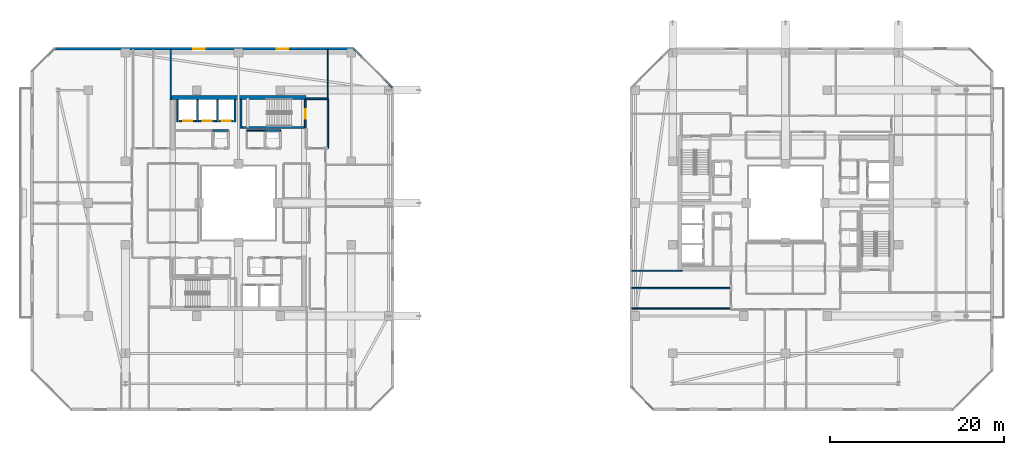
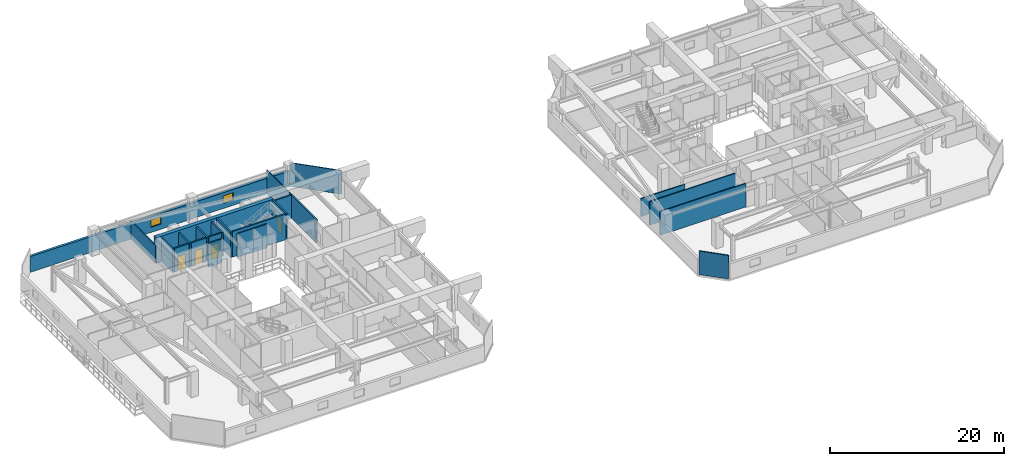
# One storey, part 23 of 34: 24 walls, 4 doors, 2 windows, 6 openings.
"""IFC4 building model written with IfcOpenShell, lengths in metres."""

from ifc_helpers import new_model, si_unit, direction, frame, frame_2d, origin, place, context, subcontext, project, spatial, rectangle, extrude, material, layer, layer_set, type_object, element, fill, save


model = new_model("IFC4")

# Units and contexts
model_context = context("Model", 3, precision=1e-05, world=origin(), true_north=direction((0.0, 1.0)))
body_context = subcontext(model_context, "Body", "Model", "MODEL_VIEW")
ifc_project = project(units=[si_unit("LENGTHUNIT", "METRE"), si_unit("AREAUNIT", "SQUARE_METRE"), si_unit("VOLUMEUNIT", "CUBIC_METRE"), si_unit("PLANEANGLEUNIT", "RADIAN"), si_unit("MASSUNIT", "GRAM", prefix="KILO")], contexts=[model_context])

# Site, building, storey
site_placement = place(None, origin())
site = spatial("IfcSite", under=ifc_project, at=site_placement, CompositionType="ELEMENT")
building_placement = place(site_placement, origin())
building = spatial("IfcBuilding", under=site, at=building_placement, Name="Thornwick Lancets Civic Towers", CompositionType="ELEMENT")
storey_placement = place(building_placement, frame((0.0, 0.0, 251.10009765625)))
storey = spatial("IfcBuildingStorey", under=building, at=storey_placement, Name="L67", CompositionType="ELEMENT", Elevation=251.10009765625)

# Wall, opening, door
ifc_material_1 = material(Name="Concrete blockwork C40/50", Category="masonry")
ifc_layer_1 = layer(ifc_material_1, 0.199951171875, Name="Concrete blockwork C40/50")
ifc_layer_set_1 = layer_set([ifc_layer_1], Name="Concrete blockwork C40/50")
wall_type_1 = type_object("IfcWallType", Name="WALL_COMP_200", PredefinedType="STANDARD", material=ifc_layer_set_1)
wall_1_placement = place(storey_placement, frame((24.919921875, 36.449951171875, 0.0), z_axis=(0.0, 0.0, 1.0), x_axis=(-1.0, 0.0, 0.0)))
wall_1 = element("IfcWall", 1, at=wall_1_placement, inside=storey, type_object=wall_type_1, Name="L67 Hoistway Front Wall FL-A2", PredefinedType="STANDARD", context=body_context, shape_type="SweptSolid", body=[
    extrude(rectangle(XDim=1.639892578125, YDim=0.199951171875, at=frame_2d((0.81982421875, 0.0))), origin(), (0.0, 0.0, 1.0), 3.31982421875),
])
opening_1_placement = place(wall_1_placement, frame((0.31005859375, 0.0, 0.0)))
opening_1 = element("IfcOpeningElement", 2, at=opening_1_placement, cuts=wall_1, Name="Opening LD-FL-A2", PredefinedType="OPENING", context=body_context, shape_type="SweptSolid", body=[
    extrude(rectangle(XDim=1.02001953125, YDim=2.06005859375, at=frame_2d((0.510009765625, 1.030029296875))), frame((0.0, 0.10986328125, 0.0), z_axis=(0.0, -1.0, 0.0), x_axis=(1.0, 0.0, 0.0)), (0.0, 0.0, 1.0), 0.219970703125),
])
ifc_material_2 = material(Name="Brushed bronze stainless steel", Category="steel")
door_type_1 = type_object("IfcDoorType", Name="DOOR_LIFT_SLIDE", OperationType="SLIDING_TO_LEFT", PredefinedType="DOOR", material=ifc_material_2)
door_1_placement = place(opening_1_placement, origin())
door_1 = element("IfcDoor", 3, at=door_1_placement, inside=storey, type_object=door_type_1, Name="L67 Sliding Lift Landing Door LD-FL-A2", OperationType="SLIDING_TO_LEFT", OverallHeight=2.06005859375, OverallWidth=1.02001953125, PredefinedType="DOOR", context=body_context, shape_type="SweptSolid", body=[
    extrude(rectangle(XDim=1.02001953125, YDim=2.06005859375, at=frame_2d((0.510009765625, 1.030029296875))), frame((0.0, 0.02490234375, 0.0), z_axis=(0.0, -1.0, 0.0), x_axis=(1.0, 0.0, 0.0)), (0.0, 0.0, 1.0), 0.050048828125),
])
fill(opening_1, door_1)

wall_2_placement = place(storey_placement, frame((22.919921875, 36.449951171875, 0.0), z_axis=(0.0, 0.0, 1.0), x_axis=(-1.0, 0.0, 0.0)))
wall_2 = element("IfcWall", 4, at=wall_2_placement, inside=storey, type_object=wall_type_1, Name="L67 Hoistway Front Wall PL-AH2", PredefinedType="STANDARD", context=body_context, shape_type="SweptSolid", body=[
    extrude(rectangle(XDim=1.989990234375, YDim=0.199951171875, at=frame_2d((0.9951171875, 0.0))), origin(), (0.0, 0.0, 1.0), 3.31982421875),
])
opening_2_placement = place(wall_2_placement, frame((0.485107421875, 0.0, 0.0)))
opening_2 = element("IfcOpeningElement", 5, at=opening_2_placement, cuts=wall_2, Name="Opening LD-PL-AH2", PredefinedType="OPENING", context=body_context, shape_type="SweptSolid", body=[
    extrude(rectangle(XDim=1.02001953125, YDim=2.06005859375, at=frame_2d((0.510009765625, 1.030029296875))), frame((0.0, 0.10986328125, 0.0), z_axis=(0.0, -1.0, 0.0), x_axis=(1.0, 0.0, 0.0)), (0.0, 0.0, 1.0), 0.219970703125),
])
door_2_placement = place(opening_2_placement, origin())
door_2 = element("IfcDoor", 6, at=door_2_placement, inside=storey, type_object=door_type_1, Name="L67 Sliding Lift Landing Door LD-PL-AH2", OperationType="SLIDING_TO_LEFT", OverallHeight=2.06005859375, OverallWidth=1.02001953125, PredefinedType="DOOR", context=body_context, shape_type="SweptSolid", body=[
    extrude(rectangle(XDim=1.02001953125, YDim=2.06005859375, at=frame_2d((0.510009765625, 1.030029296875))), frame((0.0, 0.02490234375, 0.0), z_axis=(0.0, -1.0, 0.0), x_axis=(1.0, 0.0, 0.0)), (0.0, 0.0, 1.0), 0.050048828125),
])
fill(opening_2, door_2)

wall_3_placement = place(storey_placement, frame((20.6201171875, 36.449951171875, 0.0), z_axis=(0.0, 0.0, 1.0), x_axis=(-1.0, 0.0, 0.0)))
wall_3 = element("IfcWall", 7, at=wall_3_placement, inside=storey, type_object=wall_type_1, Name="L67 Hoistway Front Wall PL-AH3", PredefinedType="STANDARD", context=body_context, shape_type="SweptSolid", body=[
    extrude(rectangle(XDim=1.940185546875, YDim=0.199951171875, at=frame_2d((0.97021484375, 0.0))), origin(), (0.0, 0.0, 1.0), 3.31982421875),
])
opening_3_placement = place(wall_3_placement, frame((0.4599609375, 0.0, 0.0)))
opening_3 = element("IfcOpeningElement", 8, at=opening_3_placement, cuts=wall_3, Name="Opening LD-PL-AH3", PredefinedType="OPENING", context=body_context, shape_type="SweptSolid", body=[
    extrude(rectangle(XDim=1.02001953125, YDim=2.06005859375, at=frame_2d((0.510009765625, 1.030029296875))), frame((0.0, 0.10986328125, 0.0), z_axis=(0.0, -1.0, 0.0), x_axis=(1.0, 0.0, 0.0)), (0.0, 0.0, 1.0), 0.219970703125),
])
door_3_placement = place(opening_3_placement, origin())
door_3 = element("IfcDoor", 9, at=door_3_placement, inside=storey, type_object=door_type_1, Name="L67 Sliding Lift Landing Door LD-PL-AH3", OperationType="SLIDING_TO_LEFT", OverallHeight=2.06005859375, OverallWidth=1.02001953125, PredefinedType="DOOR", context=body_context, shape_type="SweptSolid", body=[
    extrude(rectangle(XDim=1.02001953125, YDim=2.06005859375, at=frame_2d((0.510009765625, 1.030029296875))), frame((0.0, 0.02490234375, 0.0), z_axis=(0.0, -1.0, 0.0), x_axis=(1.0, 0.0, 0.0)), (0.0, 0.0, 1.0), 0.050048828125),
])
fill(opening_3, door_3)

# Walls
for number, where, z_axis, x_axis, name in (
    (10, (25.10009765625, 36.35205078125, 0.0), (0.0, 0.0, 1.0), (0.0, 1.0, 0.0), "L67 Hoistway Shaft Wall FL-A2 E"),
    (11, (23.10009765625, 36.35205078125, 0.0), (0.0, 0.0, 1.0), (0.0, 1.0, 0.0), "L67 Hoistway Shaft Wall FL-A2 W"),
    (12, (20.77490234375, 36.35205078125, 0.0), (0.0, 0.0, 1.0), (0.0, 1.0, 0.0), "L67 Hoistway Shaft Wall PL-AH2 W"),
    (13, (18.5, 36.35205078125, 0.0), (0.0, 0.0, 1.0), (0.0, 1.0, 0.0), "L67 Hoistway Shaft Wall PL-AH3 W"),
):
    element("IfcWall", number, at=place(storey_placement, frame(where, z_axis=z_axis, x_axis=x_axis)), inside=storey, type_object=wall_type_1, Name=name, PredefinedType="STANDARD", context=body_context, shape_type="SweptSolid", body=[
        extrude(rectangle(XDim=2.535888671875, YDim=0.199951171875, at=frame_2d((1.26806640625, 0.0))), origin(), (0.0, 0.0, 1.0), 3.31982421875),
    ])
wall_4_placement = place(storey_placement, frame((35.800048828125, 33.300048828125, 0.0), z_axis=(0.0, 0.0, 1.0), x_axis=(0.0, 1.0, 0.0)))
element("IfcWall", 14, at=wall_4_placement, inside=storey, type_object=wall_type_1, Name="L67 Partition L67-A-FFLOB2 E2", PredefinedType="STANDARD", context=body_context, shape_type="SweptSolid", body=[
    extrude(rectangle(XDim=5.699951171875, YDim=0.199951171875, at=frame_2d((2.85009765625, 0.0))), origin(), (0.0, 0.0, 1.0), 3.31982421875),
])
wall_5_placement = place(storey_placement, frame((35.800048828125, 39.0, 0.0), z_axis=(0.0, 0.0, 1.0), x_axis=(-1.0, 0.0, 0.0)))
element("IfcWall", 15, at=wall_5_placement, inside=storey, type_object=wall_type_1, Name="L67 Partition L67-A-FFLOB2 E3", PredefinedType="STANDARD", context=body_context, shape_type="SweptSolid", body=[
    extrude(rectangle(XDim=2.5, YDim=0.199951171875, at=frame_2d((1.25, 0.0))), origin(), (0.0, 0.0, 1.0), 3.31982421875),
])
for number, where, z_axis, x_axis, name in (
    (16, (24.35009765625, 35.35009765625, 0.0), (0.0, 0.0, 1.0), (-1.0, 0.0, 0.0), "L67 Partition L67-A-DUCT2 E3"),
    (17, (30.35009765625, 35.35009765625, 0.0), (0.0, 0.0, 1.0), (-1.0, 0.0, 0.0), "L67 Partition L67-A-RISER2 E3"),
):
    element("IfcWall", number, at=place(storey_placement, frame(where, z_axis=z_axis, x_axis=x_axis)), inside=storey, type_object=wall_type_1, Name=name, PredefinedType="STANDARD", context=body_context, shape_type="SweptSolid", body=[
        extrude(rectangle(XDim=1.800048828125, YDim=0.199951171875, at=frame_2d((0.89990234375, 0.0))), origin(), (0.0, 0.0, 1.0), 3.31982421875),
    ])
ifc_material_3 = material(Name="Concrete C50/60", Category="concrete")
ifc_layer_2 = layer(ifc_material_3, 0.5, Name="Concrete C50/60")
ifc_layer_set_2 = layer_set([ifc_layer_2], Name="Concrete C50/60")
wall_type_2 = type_object("IfcWallType", Name="WALL_CORE_500", PredefinedType="SHEAR", material=ifc_layer_set_2)
wall_6_placement = place(storey_placement, frame((17.699951171875, 39.14990234375, 0.0), z_axis=(0.0, 0.0, 1.0), x_axis=(1.0, 0.0, 0.0)))
element("IfcWall", 18, at=wall_6_placement, inside=storey, type_object=wall_type_2, Name="L67 Split Core A2 Shear Wall N", PredefinedType="SHEAR", context=body_context, shape_type="SweptSolid", body=[
    extrude(rectangle(XDim=15.60009765625, YDim=0.5, at=frame_2d((7.800048828125, 0.0))), origin(), (0.0, 0.0, 1.0), 3.599853515625),
])

# Wall, openings, windows
ifc_material_4 = material(Name="Insulated buff terracotta rainscreen on concrete C40/50", Category="masonry")
ifc_layer_3 = layer(ifc_material_4, 0.320068359375, Name="Insulated buff terracotta rainscreen on concrete C40/50")
ifc_layer_set_3 = layer_set([ifc_layer_3], Name="Insulated buff terracotta rainscreen on concrete C40/50")
wall_type_3 = type_object("IfcWallType", Name="WALL_EXT_TERRA_320", PredefinedType="STANDARD", material=ifc_layer_set_3)
wall_7_placement = place(storey_placement, frame((38.7509765625, 44.75830078125, 0.0), z_axis=(0.0, 0.0, 1.0), x_axis=(-0.999999983007, 0.000184351399, 0.0)))
wall_7 = element("IfcWall", 19, at=wall_7_placement, inside=storey, type_object=wall_type_3, Name="L67 Tower A Terracotta Facade Wall E4", PredefinedType="STANDARD", context=body_context, shape_type="SweptSolid", body=[
    extrude(rectangle(XDim=34.432373046875, YDim=0.320068359375, at=frame_2d((17.21630859375, 0.0))), origin(), (0.0, 0.0, 1.0), 2.219970703125),
])
opening_4_placement = place(wall_7_placement, frame((7.5, 0.0, 0.719970703125)))
opening_4 = element("IfcOpeningElement", 20, at=opening_4_placement, cuts=wall_7, Name="Opening WL-03", PredefinedType="OPENING", context=body_context, shape_type="SweptSolid", body=[
    extrude(rectangle(XDim=1.35009765625, YDim=1.050048828125, at=frame_2d((0.675048828125, 0.52490234375))), frame((0.0, 0.169921875, 0.0), z_axis=(0.0, -1.0, 0.0), x_axis=(1.0, 0.0, 0.0)), (0.0, 0.0, 1.0), 0.340087890625),
])
opening_5_placement = place(wall_7_placement, frame((17.10009765625, 0.0, 0.719970703125)))
opening_5 = element("IfcOpeningElement", 21, at=opening_5_placement, cuts=wall_7, Name="Opening WL-03", PredefinedType="OPENING", context=body_context, shape_type="SweptSolid", body=[
    extrude(rectangle(XDim=1.35009765625, YDim=1.050048828125, at=frame_2d((0.675048828125, 0.52490234375))), frame((0.0, 0.169921875, 0.0), z_axis=(0.0, -1.0, 0.0), x_axis=(1.0, 0.0, 0.0)), (0.0, 0.0, 1.0), 0.340087890625),
])
ifc_material_5 = material(Name="Clear low-e double glazing clerestory lancet", Category="glass")
window_type = type_object("IfcWindowType", Name="WIN_LANCET_1350", PartitioningType="SINGLE_PANEL", PredefinedType="WINDOW", material=ifc_material_5)
window_1_placement = place(opening_4_placement, origin())
window_1 = element("IfcWindow", 22, at=window_1_placement, inside=storey, type_object=window_type, Name="L67 Tower A Staggered Lancet Window E4-1", OverallHeight=1.050048828125, OverallWidth=1.35009765625, PartitioningType="SINGLE_PANEL", PredefinedType="WINDOW", context=body_context, shape_type="SweptSolid", body=[
    extrude(rectangle(XDim=1.35009765625, YDim=1.050048828125, at=frame_2d((0.675048828125, 0.52490234375))), frame((0.0, 0.030029296875, 0.0), z_axis=(0.0, -1.0, 0.0), x_axis=(1.0, 0.0, 0.0)), (0.0, 0.0, 1.0), 0.06005859375),
])
fill(opening_4, window_1)
window_2_placement = place(opening_5_placement, origin())
window_2 = element("IfcWindow", 23, at=window_2_placement, inside=storey, type_object=window_type, Name="L67 Tower A Staggered Lancet Window E4-2", OverallHeight=1.050048828125, OverallWidth=1.35009765625, PartitioningType="SINGLE_PANEL", PredefinedType="WINDOW", context=body_context, shape_type="SweptSolid", body=[
    extrude(rectangle(XDim=1.35009765625, YDim=1.050048828125, at=frame_2d((0.675048828125, 0.52490234375))), frame((0.0, 0.030029296875, 0.0), z_axis=(0.0, -1.0, 0.0), x_axis=(1.0, 0.0, 0.0)), (0.0, 0.0, 1.0), 0.06005859375),
])
fill(opening_5, window_2)

# Walls
ifc_material_6 = material(Name="Acoustic gypsum board partition")
ifc_layer_4 = layer(ifc_material_6, 0.1201171875, Name="Acoustic gypsum board partition")
ifc_layer_set_4 = layer_set([ifc_layer_4], Name="Acoustic gypsum board partition")
wall_type_4 = type_object("IfcWallType", Name="WALL_PART_120", PredefinedType="PARTITIONING", material=ifc_layer_set_4)
wall_8_placement = place(storey_placement, frame((26.449951171875, 35.35009765625, 0.0), z_axis=(0.0, 0.0, 1.0), x_axis=(1.0, 0.0, 0.0)))
element("IfcWall", 24, at=wall_8_placement, inside=storey, type_object=wall_type_4, Name="L67 Partition L67-A-ITR E2", PredefinedType="PARTITIONING", context=body_context, shape_type="SweptSolid", body=[
    extrude(rectangle(XDim=2.10009765625, YDim=0.1201171875, at=frame_2d((1.050048828125, 0.0))), origin(), (0.0, 0.0, 1.0), 3.31982421875),
])
wall_9_placement = place(storey_placement, frame((35.800048828125, 39.0, 0.0), z_axis=(0.0, 0.0, 1.0), x_axis=(0.0, 1.0, 0.0)))
element("IfcWall", 25, at=wall_9_placement, inside=storey, type_object=wall_type_4, Name="L67 Partition L67-A-E4 E3", PredefinedType="PARTITIONING", context=body_context, shape_type="SweptSolid", body=[
    extrude(rectangle(XDim=5.719970703125, YDim=0.1201171875, at=frame_2d((2.85986328125, 0.0))), origin(), (0.0, 0.0, 1.0), 3.31982421875),
])
wall_10_placement = place(storey_placement, frame((38.787353515625, 44.719970703125, 0.0), z_axis=(0.0, 0.0, 1.0), x_axis=(0.707106781187, -0.707106781187, 0.0)))
element("IfcWall", 26, at=wall_10_placement, inside=storey, type_object=wall_type_4, Name="L67 Partition L67-A-E4 E5", PredefinedType="PARTITIONING", context=body_context, shape_type="SweptSolid", body=[
    extrude(rectangle(XDim=6.2685546875, YDim=0.1201171875, at=frame_2d((3.13427734375, 0.0))), origin(), (0.0, 0.0, 1.0), 3.31982421875),
])
ifc_material_7 = material(Name="Twin-stud acoustic gypsum board")
ifc_layer_5 = layer(ifc_material_7, 0.14990234375, Name="Twin-stud acoustic gypsum board")
ifc_layer_set_5 = layer_set([ifc_layer_5], Name="Twin-stud acoustic gypsum board")
wall_type_5 = type_object("IfcWallType", Name="WALL_PART_150", PredefinedType="PARTITIONING", material=ifc_layer_set_5)
wall_11_placement = place(storey_placement, frame((17.699951171875, 44.719970703125, 0.0), z_axis=(0.0, 0.0, 1.0), x_axis=(0.0, -1.0, 0.0)))
element("IfcWall", 27, at=wall_11_placement, inside=storey, type_object=wall_type_5, Name="L67 Partition L67-A-RECLAIM-M2 E3", PredefinedType="PARTITIONING", context=body_context, shape_type="SweptSolid", body=[
    extrude(rectangle(XDim=5.820068359375, YDim=0.14990234375, at=frame_2d((2.91015625, 0.0))), origin(), (0.0, 0.0, 1.0), 2.52490234375),
])
for number, where, z_axis, x_axis, name in (
    (28, (82.199951171875, 14.85009765625, 0.0), (0.0, 0.0, 1.0), (-1.0, 0.0, 0.0), "L67 Partition L67-B-RECLAIM-M1 E1"),
    (29, (70.780029296875, 17.199951171875, 0.0), (0.0, 0.0, 1.0), (1.0, 0.0, 0.0), "L67 Partition L67-B-RECLAIM-M1 E3"),
):
    element("IfcWall", number, at=place(storey_placement, frame(where, z_axis=z_axis, x_axis=x_axis)), inside=storey, type_object=wall_type_5, Name=name, PredefinedType="PARTITIONING", context=body_context, shape_type="SweptSolid", body=[
        extrude(rectangle(XDim=11.419921875, YDim=0.14990234375, at=frame_2d((5.7099609375, 0.0))), origin(), (0.0, 0.0, 1.0), 3.31982421875),
    ])
wall_12_placement = place(storey_placement, frame((70.780029296875, 19.199951171875, 0.0), z_axis=(0.0, 0.0, 1.0), x_axis=(1.0, 0.0, 0.0)))
element("IfcWall", 30, at=wall_12_placement, inside=storey, type_object=wall_type_5, Name="L67 Partition L67-B-RECLAIM-M2 E3", PredefinedType="PARTITIONING", context=body_context, shape_type="SweptSolid", body=[
    extrude(rectangle(XDim=5.820068359375, YDim=0.14990234375, at=frame_2d((2.91015625, 0.0))), origin(), (0.0, 0.0, 1.0), 2.52490234375),
])
wall_13_placement = place(storey_placement, frame((73.274658203125, 3.280029296875, 0.0), z_axis=(0.0, 0.0, 1.0), x_axis=(-0.707106781187, 0.707106781187, 0.0)))
element("IfcWall", 31, at=wall_13_placement, inside=storey, type_object=wall_type_5, Name="L67 Partition L67-B-W2C E2", PredefinedType="PARTITIONING", context=body_context, shape_type="SweptSolid", body=[
    extrude(rectangle(XDim=3.52783203125, YDim=0.14990234375, at=frame_2d((1.763916015625, 0.0))), origin(), (0.0, 0.0, 1.0), 3.31982421875),
])

# Wall, opening, door
ifc_material_8 = material(Name="Concrete C40/50", Category="concrete")
ifc_layer_6 = layer(ifc_material_8, 0.199951171875, Name="Concrete C40/50")
ifc_layer_set_6 = layer_set([ifc_layer_6], Name="Concrete C40/50")
wall_type_6 = type_object("IfcWallType", Name="WALL_SHAFT_200", PredefinedType="SHEAR", material=ifc_layer_set_6)
wall_14_placement = place(storey_placement, frame((33.199951171875, 38.949951171875, 0.0), z_axis=(0.0, 0.0, 1.0), x_axis=(0.0, -1.0, 0.0)))
wall_14 = element("IfcWall", 32, at=wall_14_placement, inside=storey, type_object=wall_type_6, Name="L67 ST-A2 Fire Stair Core Wall NEAR", PredefinedType="SHEAR", context=body_context, shape_type="SweptSolid", body=[
    extrude(rectangle(XDim=3.349853515625, YDim=0.199951171875, at=frame_2d((1.6748046875, 0.0))), origin(), (0.0, 0.0, 1.0), 3.599853515625),
])
opening_6_placement = place(wall_14_placement, frame((1.125, 0.0, 0.0)))
opening_6 = element("IfcOpeningElement", 33, at=opening_6_placement, cuts=wall_14, Name="Opening D-ST-A2-L67", PredefinedType="OPENING", context=body_context, shape_type="SweptSolid", body=[
    extrude(rectangle(XDim=1.10009765625, YDim=2.10009765625, at=frame_2d((0.550048828125, 1.050048828125))), frame((0.0, 0.10986328125, 0.0), z_axis=(0.0, -1.0, 0.0), x_axis=(1.0, 0.0, 0.0)), (0.0, 0.0, 1.0), 0.219970703125),
])
ifc_material_9 = material(Name="Fire-resisting steel and hardwood", Category="steel")
door_type_2 = type_object("IfcDoorType", Name="DOOR_STAIR_FD60", OperationType="NOTDEFINED", PredefinedType="DOOR", material=ifc_material_9)
door_4_placement = place(opening_6_placement, origin())
door_4 = element("IfcDoor", 34, at=door_4_placement, inside=storey, type_object=door_type_2, Name="L67 ST-A2 Exit Stair Door", OperationType="SINGLE_SWING_LEFT", OverallHeight=2.10009765625, OverallWidth=1.10009765625, PredefinedType="DOOR", context=body_context, shape_type="SweptSolid", body=[
    extrude(rectangle(XDim=1.10009765625, YDim=2.10009765625, at=frame_2d((0.550048828125, 1.050048828125))), frame((0.0, 0.02490234375, 0.0), z_axis=(0.0, -1.0, 0.0), x_axis=(1.0, 0.0, 0.0)), (0.0, 0.0, 1.0), 0.050048828125),
])
fill(opening_6, door_4)

# Walls
wall_15_placement = place(storey_placement, frame((25.800048828125, 35.60009765625, 0.0), z_axis=(0.0, 0.0, 1.0), x_axis=(0.0, 1.0, 0.0)))
element("IfcWall", 35, at=wall_15_placement, inside=storey, type_object=wall_type_6, Name="L67 ST-A2 Fire Stair Core Wall FAR", PredefinedType="SHEAR", context=body_context, shape_type="SweptSolid", body=[
    extrude(rectangle(XDim=3.349853515625, YDim=0.199951171875, at=frame_2d((1.6748046875, 0.0))), origin(), (0.0, 0.0, 1.0), 3.599853515625),
])
wall_16_placement = place(storey_placement, frame((25.949951171875, 35.702880859375, 0.0), z_axis=(0.0, 0.0, 1.0), x_axis=(1.0, 0.0, 0.0)))
element("IfcWall", 36, at=wall_16_placement, inside=storey, type_object=wall_type_6, Name="L67 ST-A2 Fire Stair Core Wall RIGHT", PredefinedType="SHEAR", context=body_context, shape_type="SweptSolid", body=[
    extrude(rectangle(XDim=7.10009765625, YDim=0.199951171875, at=frame_2d((3.550048828125, 0.0))), origin(), (0.0, 0.0, 1.0), 3.599853515625),
])

save(model, "model.ifc")
